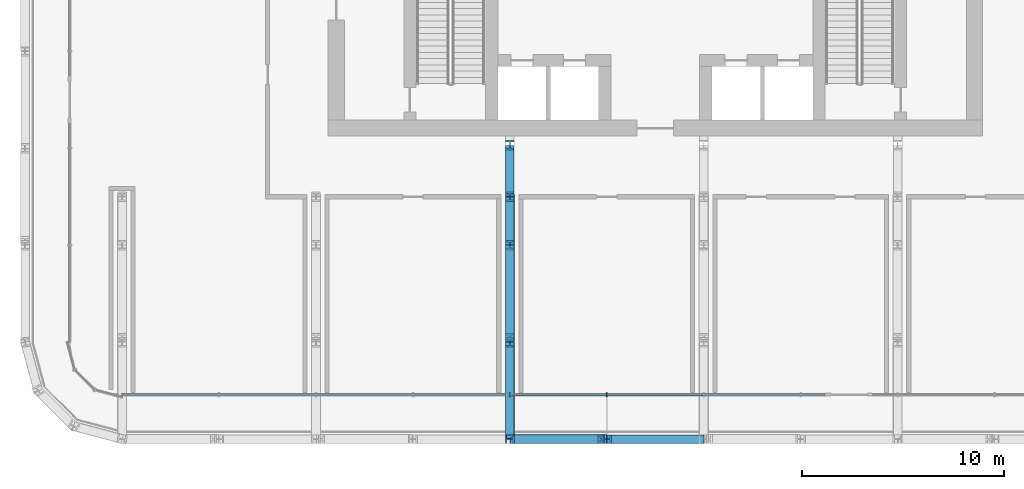
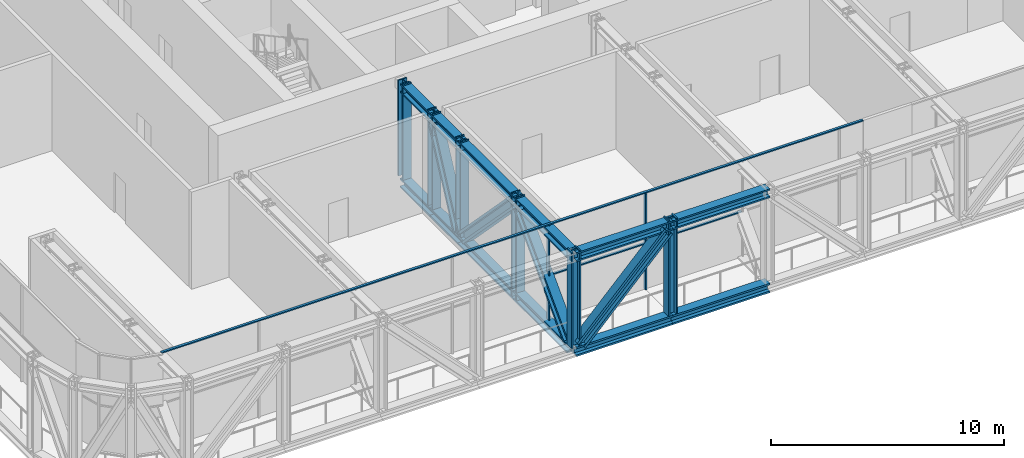
# One storey, part 3 of 27: 27 members, 1 element without a shape of its own.
"""IFC4 building model written with IfcOpenShell, lengths in metres."""

from ifc_helpers import new_model, si_unit, direction, frame, origin, origin_2d, place, context, subcontext, project, spatial, rectangle, i_section, extrude, material, layer, layer_set, material_profile, profile_set, type_object, element, aggregate, save


model = new_model("IFC4")

# Units and contexts
model_context = context("Model", 3, precision=1e-05, world=origin(), true_north=direction((0.0, 1.0)))
body_context = subcontext(model_context, "Body", "Model", "MODEL_VIEW")
ifc_project = project(units=[si_unit("LENGTHUNIT", "METRE"), si_unit("AREAUNIT", "SQUARE_METRE"), si_unit("VOLUMEUNIT", "CUBIC_METRE"), si_unit("PLANEANGLEUNIT", "RADIAN"), si_unit("MASSUNIT", "GRAM", prefix="KILO")], contexts=[model_context])

# Site, building, storey
site_placement = place(None, origin())
site = spatial("IfcSite", under=ifc_project, at=site_placement, CompositionType="ELEMENT")
building_placement = place(site_placement, origin())
building = spatial("IfcBuilding", under=site, at=building_placement, Name="Madar Terraces", CompositionType="ELEMENT")
storey_placement = place(building_placement, frame((0.0, 0.0, 143.60009765625)))
storey = spatial("IfcBuildingStorey", under=building, at=storey_placement, Name="L37", CompositionType="ELEMENT", Elevation=143.60009765625)

# Members
ifc_material_1 = material(Name="Steel ASTM A913 Grade 65", Category="steel")
ifc_material_profile_1 = material_profile(ifc_material_1, i_section(OverallWidth=0.431884765625, OverallDepth=0.497802734375, WebThickness=0.0556640625, FlangeThickness=0.0888671875, at=origin_2d()), Name="W14x500")
ifc_profile_set_1 = profile_set([ifc_material_profile_1], Name="Steel ASTM A913 Grade 65")
member_type_1 = type_object("IfcMemberType", Name="BC5 W14x500", PredefinedType="CHORD", material=ifc_profile_set_1)
for number, where, z_axis, x_axis, name in (
    (1, (24.0, 0.0, -0.171142578125), (1.0, 0.0, 0.0), (0.0, 1.0, 0.0), "Exoskeleton truss ring bottom chord BC5"),
    (2, (28.800048828125, 0.0, -0.171142578125), (1.0, 0.0, 0.0), (0.0, 1.0, 0.0), "Exoskeleton truss ring bottom chord BC5"),
):
    element("IfcMember", number, at=place(storey_placement, frame(where, z_axis=z_axis, x_axis=x_axis)), inside=storey, type_object=member_type_1, Name=name, PredefinedType="CHORD", context=body_context, shape_type="SweptSolid", body=[
        extrude(i_section(OverallWidth=0.431884765625, OverallDepth=0.497802734375, WebThickness=0.0556640625, FlangeThickness=0.0888671875, at=origin_2d()), origin(), (0.0, 0.0, 1.0), 4.800048828125),
    ])
member_1_placement = place(storey_placement, frame((24.0, 0.2158203125, -0.171142578125), z_axis=(0.0, 1.0, 0.0), x_axis=(-1.0, 0.0, 0.0)))
element("IfcMember", 3, at=member_1_placement, inside=storey, type_object=member_type_1, Name="Exoskeleton truss cross S24 bottom chord BC5", PredefinedType="CHORD", context=body_context, shape_type="SweptSolid", body=[
    extrude(i_section(OverallWidth=0.431884765625, OverallDepth=0.497802734375, WebThickness=0.0556640625, FlangeThickness=0.0888671875, at=origin_2d()), origin(), (0.0, 0.0, 1.0), 4.584228515625),
])
member_2_placement = place(storey_placement, frame((24.0, 4.800048828125, -0.171142578125), z_axis=(0.0, 1.0, 0.0), x_axis=(-1.0, 0.0, 0.0)))
element("IfcMember", 4, at=member_2_placement, inside=storey, type_object=member_type_1, Name="Exoskeleton truss cross S24 bottom chord BC5", PredefinedType="CHORD", context=body_context, shape_type="SweptSolid", body=[
    extrude(i_section(OverallWidth=0.431884765625, OverallDepth=0.497802734375, WebThickness=0.0556640625, FlangeThickness=0.0888671875, at=origin_2d()), origin(), (0.0, 0.0, 1.0), 4.800048828125),
])
member_3_placement = place(storey_placement, frame((24.0, 9.60009765625, -0.171142578125), z_axis=(0.0, 1.0, 0.0), x_axis=(-1.0, 0.0, 0.0)))
element("IfcMember", 5, at=member_3_placement, inside=storey, type_object=member_type_1, Name="Exoskeleton truss cross S24 bottom chord BC5", PredefinedType="CHORD", context=body_context, shape_type="SweptSolid", body=[
    extrude(i_section(OverallWidth=0.431884765625, OverallDepth=0.497802734375, WebThickness=0.0556640625, FlangeThickness=0.0888671875, at=origin_2d()), origin(), (0.0, 0.0, 1.0), 2.39990234375),
])
member_4_placement = place(storey_placement, frame((24.0, 12.0, -0.171142578125), z_axis=(0.0, 1.0, 0.0), x_axis=(-1.0, 0.0, 0.0)))
element("IfcMember", 6, at=member_4_placement, inside=storey, type_object=member_type_1, Name="Exoskeleton truss cross S24 bottom chord BC5", PredefinedType="CHORD", context=body_context, shape_type="SweptSolid", body=[
    extrude(i_section(OverallWidth=0.431884765625, OverallDepth=0.497802734375, WebThickness=0.0556640625, FlangeThickness=0.0888671875, at=origin_2d()), origin(), (0.0, 0.0, 1.0), 2.550048828125),
])

# Curtain wall, members
ifc_material_2 = material(Name="Glass, ceramic frit dark grey, with black aluminium frame", Category="aluminium")
ifc_layer = layer(ifc_material_2, 0.199951171875)
ifc_layer_set = layer_set([ifc_layer], Name="Facade curtain wall, tall glazing")
curtain_wall_type = type_object("IfcCurtainWallType", Name="Facade curtain wall, tall glazing", PredefinedType="NOTDEFINED", material=ifc_layer_set)
curtain_wall_placement = place(storey_placement, origin())
curtain_wall = element("IfcCurtainWall", 7, at=curtain_wall_placement, inside=storey, type_object=curtain_wall_type, Name="Outer skin curtain wall south bay 1", PredefinedType="NOTDEFINED")
ifc_material_3 = material(Name="Aluminium, black anodised", Category="aluminium")
ifc_material_profile_2 = material_profile(ifc_material_3, rectangle(XDim=0.199951171875, YDim=0.06005859375, at=origin_2d()), Name="Facade mullion 60x200")
ifc_profile_set_2 = profile_set([ifc_material_profile_2], Name="Aluminium, black anodised")
member_type_2 = type_object("IfcMemberType", Name="Facade mullion 60x200", PredefinedType="MULLION", material=ifc_profile_set_2)
member_5_placement = place(storey_placement, frame((24.0, 2.199951171875, 0.0), z_axis=(0.0, 0.0, 1.0), x_axis=(0.0, 1.0, 0.0)))
member_5 = element("IfcMember", 8, at=member_5_placement, type_object=member_type_2, Name="Mullion 4", PredefinedType="MULLION", context=body_context, shape_type="SweptSolid", body=[
    extrude(rectangle(XDim=0.199951171875, YDim=0.06005859375, at=origin_2d()), origin(), (0.0, 0.0, 1.0), 5.039794921875),
])
member_6_placement = place(storey_placement, frame((28.800048828125, 2.199951171875, 0.0), z_axis=(0.0, 0.0, 1.0), x_axis=(0.0, 1.0, 0.0)))
member_6 = element("IfcMember", 9, at=member_6_placement, type_object=member_type_2, Name="Mullion 5", PredefinedType="MULLION", context=body_context, shape_type="SweptSolid", body=[
    extrude(rectangle(XDim=0.199951171875, YDim=0.06005859375, at=origin_2d()), origin(), (0.0, 0.0, 1.0), 5.039794921875),
])
ifc_material_4 = material(Name="Aluminium, black anodised", Category="aluminium")
ifc_material_profile_3 = material_profile(ifc_material_4, rectangle(XDim=0.1201171875, YDim=0.06005859375, at=origin_2d()), Name="Facade transom 60x120")
ifc_profile_set_3 = profile_set([ifc_material_profile_3], Name="Aluminium, black anodised")
member_type_3 = type_object("IfcMemberType", Name="Facade transom 60x120", PredefinedType="USERDEFINED", material=ifc_profile_set_3)
member_7_placement = place(storey_placement, frame((4.800048828125, 2.199951171875, 5.06982421875), z_axis=(1.0, 0.0, 0.0), x_axis=(0.0, 1.0, 0.0)))
member_7 = element("IfcMember", 10, at=member_7_placement, type_object=member_type_3, Name="Transom 1", ObjectType="TRANSOM", PredefinedType="USERDEFINED", context=body_context, shape_type="SweptSolid", body=[
    extrude(rectangle(XDim=0.1201171875, YDim=0.06005859375, at=origin_2d()), origin(), (0.0, 0.0, 1.0), 34.800048828125),
])
member_8_placement = place(storey_placement, frame((24.030029296875, 2.199951171875, 2.39990234375), z_axis=(1.0, 0.0, 0.0), x_axis=(0.0, 1.0, 0.0)))
member_8 = element("IfcMember", 11, at=member_8_placement, type_object=member_type_3, Name="Transom 6", ObjectType="TRANSOM", PredefinedType="USERDEFINED", context=body_context, shape_type="SweptSolid", body=[
    extrude(rectangle(XDim=0.1201171875, YDim=0.06005859375, at=origin_2d()), origin(), (0.0, 0.0, 1.0), 4.739990234375),
])
member_9_placement = place(storey_placement, frame((28.830078125, 2.199951171875, 2.39990234375), z_axis=(1.0, 0.0, 0.0), x_axis=(0.0, 1.0, 0.0)))
member_9 = element("IfcMember", 12, at=member_9_placement, type_object=member_type_3, Name="Transom 7", ObjectType="TRANSOM", PredefinedType="USERDEFINED", context=body_context, shape_type="SweptSolid", body=[
    extrude(rectangle(XDim=0.1201171875, YDim=0.06005859375, at=origin_2d()), origin(), (0.0, 0.0, 1.0), 4.739990234375),
])
aggregate(curtain_wall, [member_5, member_6, member_7, member_8, member_9])

# Members
ifc_material_5 = material(Name="Steel ASTM A913 Grade 65", Category="steel")
ifc_material_profile_4 = material_profile(ifc_material_5, i_section(OverallWidth=0.424072265625, OverallDepth=0.47509765625, WebThickness=0.0478515625, FlangeThickness=0.0771484375, at=origin_2d()), Name="W14x426")
ifc_profile_set_4 = profile_set([ifc_material_profile_4], Name="Steel ASTM A913 Grade 65")
member_type_4 = type_object("IfcMemberType", Name="TC5 W14x426", PredefinedType="CHORD", material=ifc_profile_set_4)
for number, where, z_axis, x_axis, name in (
    (13, (24.0, 0.0, 4.79248046875), (1.0, 0.0, 0.0), (0.0, 1.0, 0.0), "Exoskeleton truss ring top chord TC5"),
    (14, (28.800048828125, 0.0, 4.79248046875), (1.0, 0.0, 0.0), (0.0, 1.0, 0.0), "Exoskeleton truss ring top chord TC5"),
):
    element("IfcMember", number, at=place(storey_placement, frame(where, z_axis=z_axis, x_axis=x_axis)), inside=storey, type_object=member_type_4, Name=name, PredefinedType="CHORD", context=body_context, shape_type="SweptSolid", body=[
        extrude(i_section(OverallWidth=0.424072265625, OverallDepth=0.47509765625, WebThickness=0.0478515625, FlangeThickness=0.0771484375, at=origin_2d()), origin(), (0.0, 0.0, 1.0), 4.800048828125),
    ])
member_10_placement = place(storey_placement, frame((24.0, 0.212158203125, 4.79248046875), z_axis=(0.0, 1.0, 0.0), x_axis=(-1.0, 0.0, 0.0)))
element("IfcMember", 15, at=member_10_placement, inside=storey, type_object=member_type_4, Name="Exoskeleton truss cross S24 top chord TC5", PredefinedType="CHORD", context=body_context, shape_type="SweptSolid", body=[
    extrude(i_section(OverallWidth=0.424072265625, OverallDepth=0.47509765625, WebThickness=0.0478515625, FlangeThickness=0.0771484375, at=origin_2d()), origin(), (0.0, 0.0, 1.0), 4.587890625),
])
member_11_placement = place(storey_placement, frame((24.0, 4.800048828125, 4.79248046875), z_axis=(0.0, 1.0, 0.0), x_axis=(-1.0, 0.0, 0.0)))
element("IfcMember", 16, at=member_11_placement, inside=storey, type_object=member_type_4, Name="Exoskeleton truss cross S24 top chord TC5", PredefinedType="CHORD", context=body_context, shape_type="SweptSolid", body=[
    extrude(i_section(OverallWidth=0.424072265625, OverallDepth=0.47509765625, WebThickness=0.0478515625, FlangeThickness=0.0771484375, at=origin_2d()), origin(), (0.0, 0.0, 1.0), 4.800048828125),
])
member_12_placement = place(storey_placement, frame((24.0, 9.60009765625, 4.79248046875), z_axis=(0.0, 1.0, 0.0), x_axis=(-1.0, 0.0, 0.0)))
element("IfcMember", 17, at=member_12_placement, inside=storey, type_object=member_type_4, Name="Exoskeleton truss cross S24 top chord TC5", PredefinedType="CHORD", context=body_context, shape_type="SweptSolid", body=[
    extrude(i_section(OverallWidth=0.424072265625, OverallDepth=0.47509765625, WebThickness=0.0478515625, FlangeThickness=0.0771484375, at=origin_2d()), origin(), (0.0, 0.0, 1.0), 2.39990234375),
])
member_13_placement = place(storey_placement, frame((24.0, 12.0, 4.79248046875), z_axis=(0.0, 1.0, 0.0), x_axis=(-1.0, 0.0, 0.0)))
element("IfcMember", 18, at=member_13_placement, inside=storey, type_object=member_type_4, Name="Exoskeleton truss cross S24 top chord TC5", PredefinedType="CHORD", context=body_context, shape_type="SweptSolid", body=[
    extrude(i_section(OverallWidth=0.424072265625, OverallDepth=0.47509765625, WebThickness=0.0478515625, FlangeThickness=0.0771484375, at=origin_2d()), origin(), (0.0, 0.0, 1.0), 2.550048828125),
])
ifc_material_6 = material(Name="Steel ASTM A913 Grade 65", Category="steel")
ifc_material_profile_5 = material_profile(ifc_material_6, i_section(OverallWidth=0.45458984375, OverallDepth=0.56884765625, WebThickness=0.077880859375, FlangeThickness=0.124755859375, at=origin_2d()), Name="W14x730")
ifc_profile_set_5 = profile_set([ifc_material_profile_5], Name="Steel ASTM A913 Grade 65")
member_type_5 = type_object("IfcMemberType", Name="TD5 W14x730", PredefinedType="BRACE", material=ifc_profile_set_5)
for number, where, z_axis, x_axis, name in (
    (19, (24.24072265625, 0.0, 0.07763671875), (0.695149746219, 0.0, 0.718864959733), (0.0, 1.0, 0.0), "Exoskeleton truss ring diagonal TD5"),
    (20, (24.0, 0.24072265625, 0.07763671875), (0.0, 0.695149746219, 0.718864959733), (-1.0, 0.0, 0.0), "Exoskeleton truss cross S24 diagonal TD5"),
):
    element("IfcMember", number, at=place(storey_placement, frame(where, z_axis=z_axis, x_axis=x_axis)), inside=storey, type_object=member_type_5, Name=name, PredefinedType="BRACE", context=body_context, shape_type="SweptSolid", body=[
        extrude(i_section(OverallWidth=0.45458984375, OverallDepth=0.56884765625, WebThickness=0.077880859375, FlangeThickness=0.124755859375, at=origin_2d()), origin(), (0.0, 0.0, 1.0), 6.228271484375),
    ])
member_14_placement = place(storey_placement, frame((24.0, 5.029541015625, 4.554931640625), z_axis=(0.0, 0.695170001979, -0.718845371654), x_axis=(-1.0, 0.0, 0.0)))
element("IfcMember", 21, at=member_14_placement, inside=storey, type_object=member_type_5, Name="Exoskeleton truss cross S24 diagonal TD5", PredefinedType="BRACE", context=body_context, shape_type="SweptSolid", body=[
    extrude(i_section(OverallWidth=0.45458984375, OverallDepth=0.56884765625, WebThickness=0.077880859375, FlangeThickness=0.124755859375, at=origin_2d()), origin(), (0.0, 0.0, 1.0), 6.228515625),
])
member_15_placement = place(storey_placement, frame((24.0, 9.720458984375, 0.07763671875), z_axis=(0.0, 0.435294010342, 0.900288356339), x_axis=(-1.0, 0.0, 0.0)))
element("IfcMember", 22, at=member_15_placement, inside=storey, type_object=member_type_5, Name="Exoskeleton truss cross S24 diagonal TD5", PredefinedType="BRACE", context=body_context, shape_type="SweptSolid", body=[
    extrude(i_section(OverallWidth=0.45458984375, OverallDepth=0.56884765625, WebThickness=0.077880859375, FlangeThickness=0.124755859375, at=origin_2d()), origin(), (0.0, 0.0, 1.0), 4.97314453125),
])
ifc_material_7 = material(Name="Steel ASTM A913 Grade 65", Category="steel")
ifc_material_profile_6 = material_profile(ifc_material_7, i_section(OverallWidth=0.419189453125, OverallDepth=0.45458984375, WebThickness=0.042236328125, FlangeThickness=0.067626953125, at=origin_2d()), Name="W14x370")
ifc_profile_set_6 = profile_set([ifc_material_profile_6], Name="Steel ASTM A913 Grade 65")
member_type_6 = type_object("IfcMemberType", Name="TV5 W14x370", PredefinedType="POST", material=ifc_profile_set_6)
for number, where, z_axis, x_axis, name in (
    (23, (24.0, 0.0, 0.07763671875), (0.0, 0.0, 1.0), (0.0, 1.0, 0.0), "Exoskeleton truss ring post TV5"),
    (24, (28.800048828125, 0.0, 0.07763671875), (0.0, 0.0, 1.0), (0.0, 1.0, 0.0), "Exoskeleton truss ring post TV5"),
):
    element("IfcMember", number, at=place(storey_placement, frame(where, z_axis=z_axis, x_axis=x_axis)), inside=storey, type_object=member_type_6, Name=name, PredefinedType="POST", context=body_context, shape_type="SweptSolid", body=[
        extrude(i_section(OverallWidth=0.419189453125, OverallDepth=0.45458984375, WebThickness=0.042236328125, FlangeThickness=0.067626953125, at=origin_2d()), origin(), (0.0, 0.0, 1.0), 5.022216796875),
    ])
member_16_placement = place(storey_placement, frame((24.0, 4.800048828125, -0.420166015625), z_axis=(0.0, 0.0, 1.0), x_axis=(-1.0, 0.0, 0.0)))
element("IfcMember", 25, at=member_16_placement, inside=storey, type_object=member_type_6, Name="Exoskeleton truss cross S24 post TV5", PredefinedType="POST", context=body_context, shape_type="SweptSolid", body=[
    extrude(i_section(OverallWidth=0.419189453125, OverallDepth=0.45458984375, WebThickness=0.042236328125, FlangeThickness=0.067626953125, at=origin_2d()), origin(), (0.0, 0.0, 1.0), 5.52001953125),
])
for number, where, z_axis, x_axis, name in (
    (26, (24.0, 9.60009765625, 0.07763671875), (0.0, 0.0, 1.0), (-1.0, 0.0, 0.0), "Exoskeleton truss cross S24 post TV5"),
    (27, (24.0, 12.0, 0.07763671875), (0.0, 0.0, 1.0), (-1.0, 0.0, 0.0), "Exoskeleton truss cross S24 post TV5"),
    (28, (24.0, 14.550048828125, 0.07763671875), (0.0, 0.0, 1.0), (-1.0, 0.0, 0.0), "Exoskeleton truss cross S24 post TV5"),
):
    element("IfcMember", number, at=place(storey_placement, frame(where, z_axis=z_axis, x_axis=x_axis)), inside=storey, type_object=member_type_6, Name=name, PredefinedType="POST", context=body_context, shape_type="SweptSolid", body=[
        extrude(i_section(OverallWidth=0.419189453125, OverallDepth=0.45458984375, WebThickness=0.042236328125, FlangeThickness=0.067626953125, at=origin_2d()), origin(), (0.0, 0.0, 1.0), 5.022216796875),
    ])

save(model, "model.ifc")
